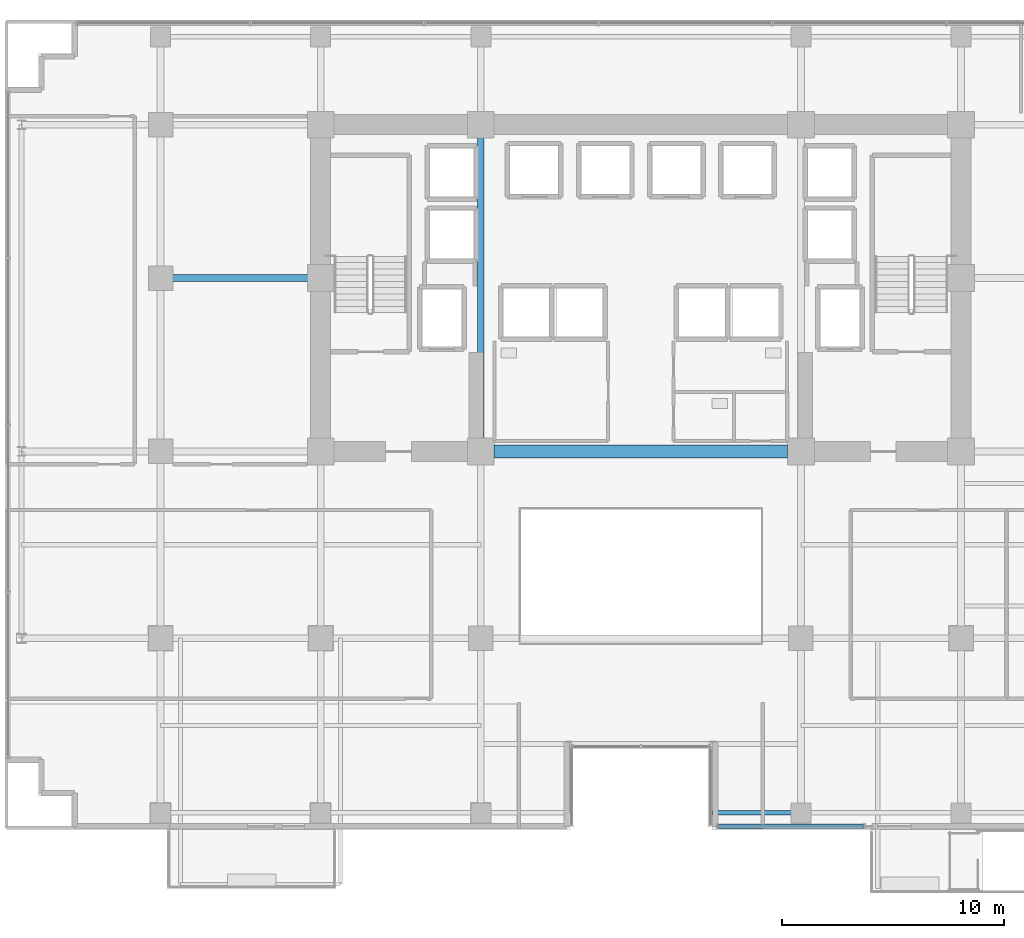
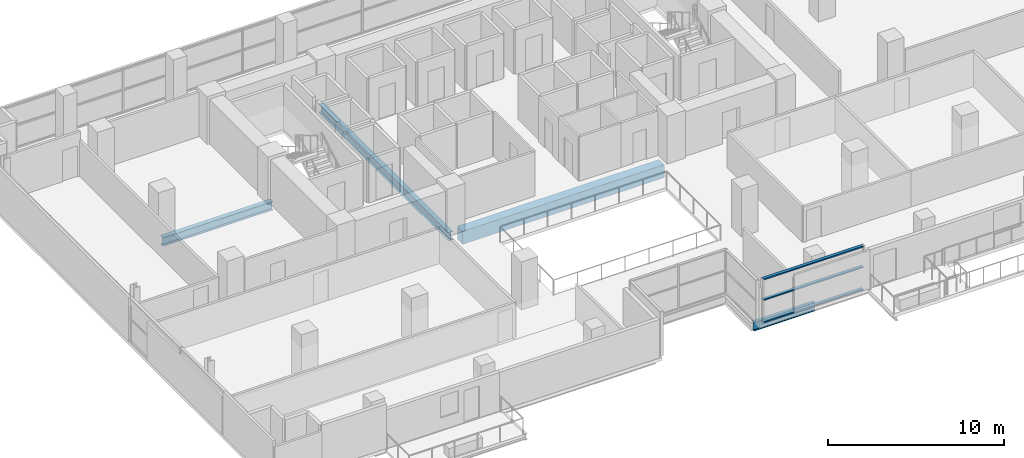
# One storey, part 10 of 28: 4 beams, 3 members, 1 element without a shape of its own.
"""IFC4 building model written with IfcOpenShell, lengths in metres."""

from ifc_helpers import new_model, si_unit, direction, frame, origin, origin_2d, place, context, subcontext, project, spatial, rectangle, hollow_rectangle, i_section, extrude, source, transform, mapped, material, layer, layer_set, material_profile, profile_set, type_object, element, aggregate, save


model = new_model("IFC4")

# Units and contexts
model_context = context("Model", 3, precision=1e-05, world=origin(), true_north=direction((0.0, 1.0)))
body_context = subcontext(model_context, "Body", "Model", "MODEL_VIEW")
ifc_project = project(units=[si_unit("LENGTHUNIT", "METRE"), si_unit("AREAUNIT", "SQUARE_METRE"), si_unit("VOLUMEUNIT", "CUBIC_METRE"), si_unit("PLANEANGLEUNIT", "RADIAN"), si_unit("MASSUNIT", "GRAM", prefix="KILO")], contexts=[model_context])

# Site, building, storey
site_placement = place(None, origin())
site = spatial("IfcSite", under=ifc_project, at=site_placement, CompositionType="ELEMENT")
building_placement = place(site_placement, origin())
building = spatial("IfcBuilding", under=site, at=building_placement, Name="Zarnakvel Exchange Tower", CompositionType="ELEMENT")
storey_placement = place(building_placement, frame((0.0, 0.0, 57.10009765625)))
storey = spatial("IfcBuildingStorey", under=building, at=storey_placement, Name="L15", CompositionType="ELEMENT", Elevation=57.10009765625)

# Beams
ifc_material_1 = material(Name="Concrete C80/95", Category="concrete")
ifc_material_profile_1 = material_profile(ifc_material_1, rectangle(XDim=0.60009765625, YDim=0.89990234375, at=origin_2d()))
ifc_profile_set_1 = profile_set([ifc_material_profile_1], Name="Concrete C80/95")
beam_type_1 = type_object("IfcBeamType", Name="CB-01", PredefinedType="LINTEL", material=ifc_profile_set_1)
beam_1_placement = place(storey_placement, frame((-6.60009765625, -1.199951171875, -0.675048828125), z_axis=(1.0, 0.0, 0.0), x_axis=(0.0, 1.0, 0.0)))
element("IfcBeam", 1, at=beam_1_placement, inside=storey, type_object=beam_type_1, Name="L15 Rear Core South Coupling Beam (CB-01)", PredefinedType="LINTEL", context=body_context, shape_type="SweptSolid", body=[
    extrude(rectangle(XDim=0.60009765625, YDim=0.89990234375, at=origin_2d()), origin(), (0.0, 0.0, 1.0), 13.2001953125),
])
ifc_material_2 = material(Name="Steel S355", Category="steel")
ifc_material_profile_2 = material_profile(ifc_material_2, i_section(OverallWidth=0.300048828125, OverallDepth=0.60009765625, WebThickness=0.015380859375, FlangeThickness=0.030029296875, FilletRadius=0.027099609375, at=origin_2d()))
ifc_profile_set_2 = profile_set([ifc_material_profile_2], Name="Steel S355")
beam_type_2 = type_object("IfcBeamType", Name="G-04", PredefinedType="BEAM", material=ifc_profile_set_2)
beam_2_placement = place(storey_placement, frame((-21.60009765625, 6.60009765625, -0.525146484375), z_axis=(1.0, 0.0, 0.0), x_axis=(0.0, 1.0, 0.0)))
element("IfcBeam", 2, at=beam_2_placement, inside=storey, type_object=beam_type_2, Name="L15 Tower E-W Frame Beam", PredefinedType="BEAM", context=body_context, shape_type="SweptSolid", body=[
    extrude(i_section(OverallWidth=0.300048828125, OverallDepth=0.60009765625, WebThickness=0.015380859375, FlangeThickness=0.030029296875, FilletRadius=0.027099609375, at=origin_2d()), origin(), (0.0, 0.0, 1.0), 7.2001953125),
])
beam_3_placement = place(storey_placement, frame((-7.199951171875, -1.199951171875, -0.525146484375), z_axis=(0.0, 1.0, 0.0), x_axis=(-1.0, 0.0, 0.0)))
element("IfcBeam", 3, at=beam_3_placement, inside=storey, type_object=beam_type_2, Name="L15 Tower N-S Frame Beam", PredefinedType="BEAM", context=body_context, shape_type="SweptSolid", body=[
    extrude(i_section(OverallWidth=0.300048828125, OverallDepth=0.60009765625, WebThickness=0.015380859375, FlangeThickness=0.030029296875, FilletRadius=0.027099609375, at=origin_2d()), origin(), (0.0, 0.0, 1.0), 14.699951171875),
])
ifc_material_profile_3 = material_profile(ifc_material_2, i_section(OverallWidth=0.219970703125, OverallDepth=0.60009765625, WebThickness=0.011962890625, FlangeThickness=0.01904296875, FilletRadius=0.02392578125, at=origin_2d()))
ifc_profile_set_3 = profile_set([ifc_material_profile_3], Name="Steel S355")
beam_type_3 = type_object("IfcBeamType", Name="SP-01", PredefinedType="SPANDREL", material=ifc_profile_set_3)
beam_4_placement = place(storey_placement, frame((3.199951171875, -17.449951171875, -0.525146484375), z_axis=(1.0, 0.0, 0.0), x_axis=(0.0, 1.0, 0.0)))
element("IfcBeam", 4, at=beam_4_placement, inside=storey, type_object=beam_type_3, Name="L15 South Slot East Jamb Spandrel", PredefinedType="SPANDREL", context=body_context, shape_type="SweptSolid", body=[
    extrude(i_section(OverallWidth=0.219970703125, OverallDepth=0.60009765625, WebThickness=0.011962890625, FlangeThickness=0.01904296875, FilletRadius=0.02392578125, at=origin_2d()), origin(), (0.0, 0.0, 1.0), 4.0),
])

# Curtain wall, members
ifc_material_3 = material(Name="Architectural Bronze Anodised Aluminium", Category="aluminium")
ifc_layer = layer(ifc_material_3, 0.239990234375)
ifc_layer_set = layer_set([ifc_layer], Name="Architectural Bronze Anodised Aluminium")
curtain_wall_type = type_object("IfcCurtainWallType", Name="CW-02", PredefinedType="NOTDEFINED", material=ifc_layer_set)
curtain_wall_placement = place(storey_placement, origin())
curtain_wall = element("IfcCurtainWall", 5, at=curtain_wall_placement, inside=storey, type_object=curtain_wall_type, Name="L15 Curtain Wall CW-L15-SE (CW-02)", PredefinedType="NOTDEFINED")
ifc_material_profile_4 = material_profile(ifc_material_3, hollow_rectangle(XDim=0.199951171875, YDim=0.0849609375, WallThickness=0.0048828125, at=origin_2d()))
ifc_profile_set_4 = profile_set([ifc_material_profile_4], Name="Architectural Bronze Anodised Aluminium")
member_type = type_object("IfcMemberType", Name="CWT-02", PredefinedType="USERDEFINED", material=ifc_profile_set_4)
shared_shape = source(origin(), body_context, "Body", "SweptSolid", [
    extrude(hollow_rectangle(XDim=0.199951171875, YDim=0.0849609375, WallThickness=0.0048828125, at=origin_2d()), origin(), (0.0, 0.0, 1.0), 6.52001953125),
])
member_1_placement = place(storey_placement, frame((3.489990234375, -18.06005859375, 0.04248046875), z_axis=(1.0, 0.0, 0.0), x_axis=(0.0, 1.0, 0.0)))
member_1 = element("IfcMember", 6, at=member_1_placement, type_object=member_type, Name="CW-02 transom 1.1", ObjectType="TRANSOM", PredefinedType="USERDEFINED", context=body_context, shape_type="MappedRepresentation", body=[
    mapped(shared_shape, transform((0.0, 0.0, 0.0), x_axis=(1.0, 0.0, 0.0), y_axis=(0.0, 1.0, 0.0), z_axis=(0.0, 0.0, 1.0), scale=1.0)),
])
member_2_placement = place(storey_placement, frame((3.489990234375, -18.06005859375, 1.588623046875), z_axis=(1.0, 0.0, 0.0), x_axis=(0.0, 1.0, 0.0)))
member_2 = element("IfcMember", 7, at=member_2_placement, type_object=member_type, Name="CW-02 transom 1.2", ObjectType="TRANSOM", PredefinedType="USERDEFINED", context=body_context, shape_type="MappedRepresentation", body=[
    mapped(shared_shape, transform((0.0, 0.0, 0.0), x_axis=(1.0, 0.0, 0.0), y_axis=(0.0, 1.0, 0.0), z_axis=(0.0, 0.0, 1.0), scale=1.0)),
])
member_3_placement = place(storey_placement, frame((3.489990234375, -18.06005859375, 3.012451171875), z_axis=(1.0, 0.0, 0.0), x_axis=(0.0, 1.0, 0.0)))
member_3 = element("IfcMember", 8, at=member_3_placement, type_object=member_type, Name="CW-02 transom 1.3", ObjectType="TRANSOM", PredefinedType="USERDEFINED", context=body_context, shape_type="MappedRepresentation", body=[
    mapped(shared_shape, transform((0.0, 0.0, 0.0), x_axis=(1.0, 0.0, 0.0), y_axis=(0.0, 1.0, 0.0), z_axis=(0.0, 0.0, 1.0), scale=1.0)),
])
aggregate(curtain_wall, [member_1, member_2, member_3])

save(model, "model.ifc")
